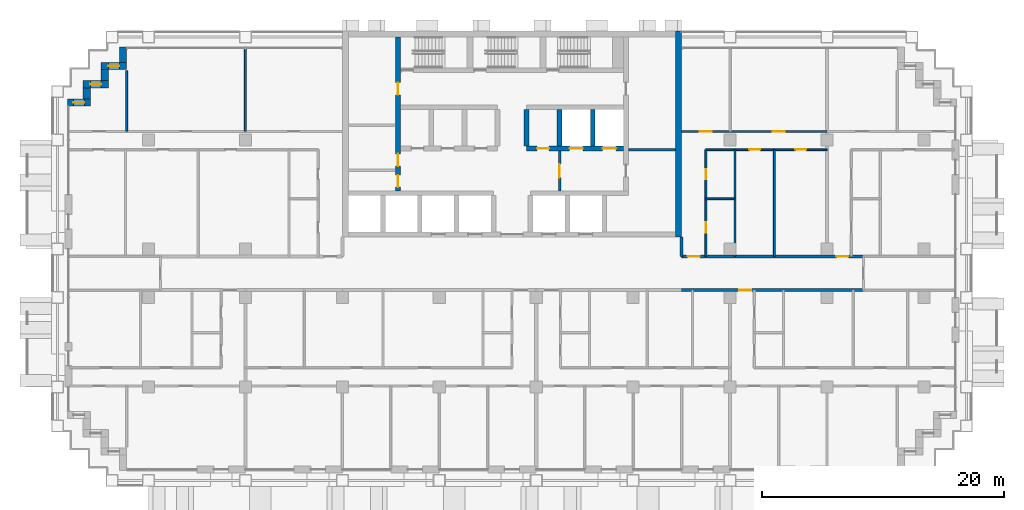
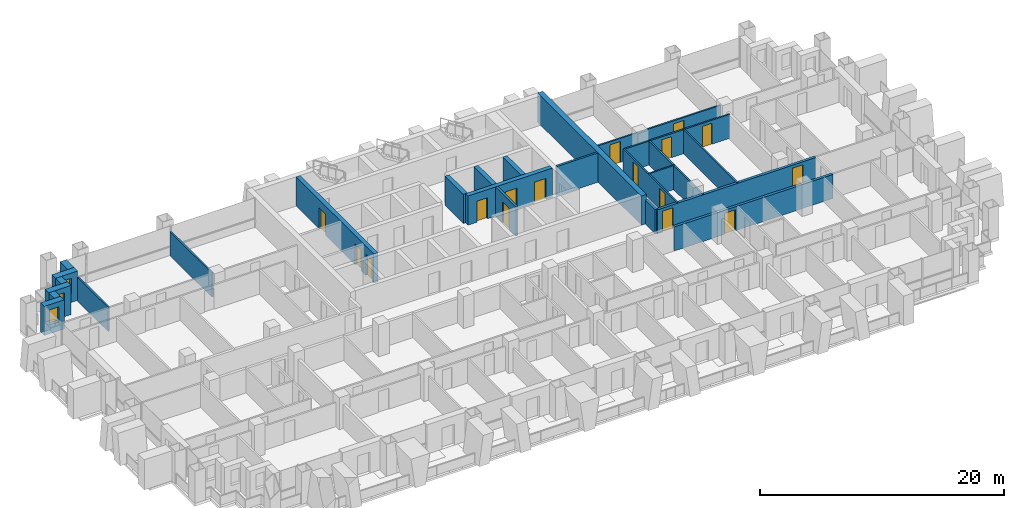
# One storey, part 12 of 18: 25 walls, 16 doors, 3 windows, 19 openings.
"""IFC4 building model written with IfcOpenShell, lengths in metres."""

from ifc_helpers import new_model, si_unit, direction, frame, frame_2d, origin, place, context, subcontext, project, spatial, rectangle, extrude, material, layer, layer_set, type_object, element, fill, save


model = new_model("IFC4")

# Units and contexts
model_context = context("Model", 3, precision=1e-05, world=origin(), true_north=direction((0.0, 1.0)))
body_context = subcontext(model_context, "Body", "Model", "MODEL_VIEW")
ifc_project = project(units=[si_unit("LENGTHUNIT", "METRE"), si_unit("AREAUNIT", "SQUARE_METRE"), si_unit("VOLUMEUNIT", "CUBIC_METRE"), si_unit("PLANEANGLEUNIT", "RADIAN"), si_unit("MASSUNIT", "GRAM", prefix="KILO")], contexts=[model_context])

# Site, building, storey
site_placement = place(None, origin())
site = spatial("IfcSite", under=ifc_project, at=site_placement, CompositionType="ELEMENT")
building_placement = place(site_placement, origin())
building = spatial("IfcBuilding", under=site, at=building_placement, Name="Vidyagriha Tower", CompositionType="ELEMENT")
storey_placement = place(building_placement, frame((0.0, 0.0, 41.60009765625)))
storey = spatial("IfcBuildingStorey", under=building, at=storey_placement, Name="L10", CompositionType="ELEMENT", Elevation=41.60009765625)

# Wall
ifc_material_1 = material(Name="Precast concrete C40/50 with brick facing", Category="concrete")
ifc_layer_1 = layer(ifc_material_1, 0.60009765625)
ifc_layer_set_1 = layer_set([ifc_layer_1], Name="Precast concrete C40/50 with brick facing")
wall_type_1 = type_object("IfcWallType", Name="Brick-faced precast wall 600", PredefinedType="STANDARD", material=ifc_layer_set_1)
wall_1_placement = place(storey_placement, frame((-32.10009765625, 18.679931640625, 0.0), z_axis=(0.0, 0.0, 1.0), x_axis=(0.0, -1.0, 0.0)))
element("IfcWall", 1, at=wall_1_placement, inside=storey, type_object=wall_type_1, Name="Stepped corner wall L10 R10", PredefinedType="STANDARD", context=body_context, shape_type="SweptSolid", body=[
    extrude(rectangle(XDim=1.280029296875, YDim=0.60009765625, at=frame_2d((0.64013671875, 0.0))), origin(), (0.0, 0.0, 1.0), 2.919921875),
])

# Wall, opening, window
wall_2_placement = place(storey_placement, frame((-31.800048828125, 17.10009765625, 0.0), z_axis=(0.0, 0.0, 1.0), x_axis=(-1.0, 0.0, 0.0)))
wall_2 = element("IfcWall", 2, at=wall_2_placement, inside=storey, type_object=wall_type_1, Name="Stepped corner wall L10 R11", PredefinedType="STANDARD", context=body_context, shape_type="SweptSolid", body=[
    extrude(rectangle(XDim=2.099853515625, YDim=0.60009765625, at=frame_2d((1.0498046875, 0.0))), origin(), (0.0, 0.0, 1.0), 2.919921875),
])
opening_1_placement = place(wall_2_placement, frame((0.60009765625, 0.0, 0.89990234375)))
opening_1 = element("IfcOpeningElement", 3, at=opening_1_placement, cuts=wall_2, Name="Opening WN1", PredefinedType="OPENING", context=body_context, shape_type="SweptSolid", body=[
    extrude(rectangle(XDim=0.89990234375, YDim=1.5, at=frame_2d((0.449951171875, 0.75))), frame((0.0, 0.31005859375, 0.0), z_axis=(0.0, -1.0, 0.0), x_axis=(1.0, 0.0, 0.0)), (0.0, 0.0, 1.0), 0.6201171875),
])
ifc_material_2 = material(Name="Aluminium and glass window", Category="aluminium")
window_type = type_object("IfcWindowType", Name="Reveal window 900x1500", PartitioningType="NOTDEFINED", PredefinedType="WINDOW", material=ifc_material_2)
window_1_placement = place(opening_1_placement, origin())
window_1 = element("IfcWindow", 4, at=window_1_placement, inside=storey, type_object=window_type, Name="Reveal window L10 R11", OverallHeight=1.5, OverallWidth=0.89990234375, PartitioningType="SINGLE_PANEL", PredefinedType="WINDOW", context=body_context, shape_type="SweptSolid", body=[
    extrude(rectangle(XDim=0.89990234375, YDim=1.5, at=frame_2d((0.449951171875, 0.75))), frame((0.0, 0.030029296875, 0.0), z_axis=(0.0, -1.0, 0.0), x_axis=(1.0, 0.0, 0.0)), (0.0, 0.0, 1.0), 0.06005859375),
])
fill(opening_1, window_1)

# Wall
wall_3_placement = place(storey_placement, frame((-33.60009765625, 16.800048828125, 0.0), z_axis=(0.0, 0.0, 1.0), x_axis=(0.0, -1.0, 0.0)))
element("IfcWall", 5, at=wall_3_placement, inside=storey, type_object=wall_type_1, Name="Stepped corner wall L10 R12", PredefinedType="STANDARD", context=body_context, shape_type="SweptSolid", body=[
    extrude(rectangle(XDim=0.900146484375, YDim=0.60009765625, at=frame_2d((0.4501953125, 0.0))), origin(), (0.0, 0.0, 1.0), 2.919921875),
])

# Wall, opening, window
wall_4_placement = place(storey_placement, frame((-33.300048828125, 15.60009765625, 0.0), z_axis=(0.0, 0.0, 1.0), x_axis=(-1.0, 0.0, 0.0)))
wall_4 = element("IfcWall", 6, at=wall_4_placement, inside=storey, type_object=wall_type_1, Name="Stepped corner wall L10 R13", PredefinedType="STANDARD", context=body_context, shape_type="SweptSolid", body=[
    extrude(rectangle(XDim=2.099853515625, YDim=0.60009765625, at=frame_2d((1.0498046875, 0.0))), origin(), (0.0, 0.0, 1.0), 2.919921875),
])
opening_2_placement = place(wall_4_placement, frame((0.60009765625, 0.0, 0.89990234375)))
opening_2 = element("IfcOpeningElement", 7, at=opening_2_placement, cuts=wall_4, Name="Opening WN1", PredefinedType="OPENING", context=body_context, shape_type="SweptSolid", body=[
    extrude(rectangle(XDim=0.89990234375, YDim=1.5, at=frame_2d((0.449951171875, 0.75))), frame((0.0, 0.31005859375, 0.0), z_axis=(0.0, -1.0, 0.0), x_axis=(1.0, 0.0, 0.0)), (0.0, 0.0, 1.0), 0.6201171875),
])
window_2_placement = place(opening_2_placement, origin())
window_2 = element("IfcWindow", 8, at=window_2_placement, inside=storey, type_object=window_type, Name="Reveal window L10 R13", OverallHeight=1.5, OverallWidth=0.89990234375, PartitioningType="SINGLE_PANEL", PredefinedType="WINDOW", context=body_context, shape_type="SweptSolid", body=[
    extrude(rectangle(XDim=0.89990234375, YDim=1.5, at=frame_2d((0.449951171875, 0.75))), frame((0.0, 0.030029296875, 0.0), z_axis=(0.0, -1.0, 0.0), x_axis=(1.0, 0.0, 0.0)), (0.0, 0.0, 1.0), 0.06005859375),
])
fill(opening_2, window_2)

# Wall
wall_5_placement = place(storey_placement, frame((-35.10009765625, 15.300048828125, 0.0), z_axis=(0.0, 0.0, 1.0), x_axis=(0.0, -1.0, 0.0)))
element("IfcWall", 9, at=wall_5_placement, inside=storey, type_object=wall_type_1, Name="Stepped corner wall L10 R14", PredefinedType="STANDARD", context=body_context, shape_type="SweptSolid", body=[
    extrude(rectangle(XDim=0.900146484375, YDim=0.60009765625, at=frame_2d((0.4501953125, 0.0))), origin(), (0.0, 0.0, 1.0), 2.919921875),
])

# Wall, opening, window
wall_6_placement = place(storey_placement, frame((-34.800048828125, 14.10009765625, 0.0), z_axis=(0.0, 0.0, 1.0), x_axis=(-1.0, 0.0, 0.0)))
wall_6 = element("IfcWall", 10, at=wall_6_placement, inside=storey, type_object=wall_type_1, Name="Stepped corner wall L10 R15", PredefinedType="STANDARD", context=body_context, shape_type="SweptSolid", body=[
    extrude(rectangle(XDim=1.8798828125, YDim=0.60009765625, at=frame_2d((0.93994140625, 0.0))), origin(), (0.0, 0.0, 1.0), 2.919921875),
])
opening_3_placement = place(wall_6_placement, frame((0.489990234375, 0.0, 0.89990234375)))
opening_3 = element("IfcOpeningElement", 11, at=opening_3_placement, cuts=wall_6, Name="Opening WN1", PredefinedType="OPENING", context=body_context, shape_type="SweptSolid", body=[
    extrude(rectangle(XDim=0.89990234375, YDim=1.5, at=frame_2d((0.449951171875, 0.75))), frame((0.0, 0.31005859375, 0.0), z_axis=(0.0, -1.0, 0.0), x_axis=(1.0, 0.0, 0.0)), (0.0, 0.0, 1.0), 0.6201171875),
])
window_3_placement = place(opening_3_placement, origin())
window_3 = element("IfcWindow", 12, at=window_3_placement, inside=storey, type_object=window_type, Name="Reveal window L10 R15", OverallHeight=1.5, OverallWidth=0.89990234375, PartitioningType="SINGLE_PANEL", PredefinedType="WINDOW", context=body_context, shape_type="SweptSolid", body=[
    extrude(rectangle(XDim=0.89990234375, YDim=1.5, at=frame_2d((0.449951171875, 0.75))), frame((0.0, 0.030029296875, 0.0), z_axis=(0.0, -1.0, 0.0), x_axis=(1.0, 0.0, 0.0)), (0.0, 0.0, 1.0), 0.06005859375),
])
fill(opening_3, window_3)

# Wall, openings, doors
ifc_material_3 = material(Name="Concrete C60/75", Category="concrete")
ifc_layer_2 = layer(ifc_material_3, 0.39990234375)
ifc_layer_set_2 = layer_set([ifc_layer_2], Name="Concrete C60/75")
wall_type_2 = type_object("IfcWallType", Name="Core shear wall 400 mm", PredefinedType="SHEAR", material=ifc_layer_set_2)
wall_7_placement = place(storey_placement, frame((-9.39990234375, 6.800048828125, 0.0), z_axis=(0.0, 0.0, 1.0), x_axis=(0.0, 1.0, 0.0)))
wall_7 = element("IfcWall", 13, at=wall_7_placement, inside=storey, type_object=wall_type_2, Name="Core west spine wall", PredefinedType="SHEAR", context=body_context, shape_type="SweptSolid", body=[
    extrude(rectangle(XDim=12.699951171875, YDim=0.39990234375, at=frame_2d((6.35009765625, 0.0))), origin(), (0.0, 0.0, 1.0), 2.919921875),
])
opening_4_placement = place(wall_7_placement, frame((0.300048828125, 0.0, 0.0)))
opening_4 = element("IfcOpeningElement", 14, at=opening_4_placement, cuts=wall_7, Name="Opening D10-10", PredefinedType="OPENING", context=body_context, shape_type="SweptSolid", body=[
    extrude(rectangle(XDim=1.0, YDim=2.10009765625, at=frame_2d((0.5, 1.050048828125))), frame((0.0, 0.2099609375, 0.0), z_axis=(0.0, -1.0, 0.0), x_axis=(1.0, 0.0, 0.0)), (0.0, 0.0, 1.0), 0.419921875),
])
opening_5_placement = place(wall_7_placement, frame((2.050048828125, 0.0, 0.0)))
opening_5 = element("IfcOpeningElement", 15, at=opening_5_placement, cuts=wall_7, Name="Opening D10-11", PredefinedType="OPENING", context=body_context, shape_type="SweptSolid", body=[
    extrude(rectangle(XDim=1.0, YDim=2.10009765625, at=frame_2d((0.5, 1.050048828125))), frame((0.0, 0.2099609375, 0.0), z_axis=(0.0, -1.0, 0.0), x_axis=(1.0, 0.0, 0.0)), (0.0, 0.0, 1.0), 0.419921875),
])
opening_6_placement = place(wall_7_placement, frame((7.925048828125, 0.0, 0.0)))
opening_6 = element("IfcOpeningElement", 16, at=opening_6_placement, cuts=wall_7, Name="Opening D10-12", PredefinedType="OPENING", context=body_context, shape_type="SweptSolid", body=[
    extrude(rectangle(XDim=1.0, YDim=2.10009765625, at=frame_2d((0.5, 1.050048828125))), frame((0.0, 0.2099609375, 0.0), z_axis=(0.0, -1.0, 0.0), x_axis=(1.0, 0.0, 0.0)), (0.0, 0.0, 1.0), 0.419921875),
])
ifc_material_4 = material(Name="Hollow metal door leaf")
door_type_1 = type_object("IfcDoorType", Name="Core room door 1000 x 2100 mm EI 60", OperationType="NOTDEFINED", PredefinedType="DOOR", material=ifc_material_4)
door_1_placement = place(opening_4_placement, frame((1.0, 0.0, 0.0), z_axis=(0.0, 0.0, 1.0), x_axis=(-1.0, 0.0, 0.0)))
door_1 = element("IfcDoor", 17, at=door_1_placement, inside=storey, type_object=door_type_1, Name="Door Refuse Room 10.W1", OperationType="SINGLE_SWING_RIGHT", OverallHeight=2.10009765625, OverallWidth=1.0, PredefinedType="DOOR", context=body_context, shape_type="SweptSolid", body=[
    extrude(rectangle(XDim=1.0, YDim=2.10009765625, at=frame_2d((0.5, 1.050048828125))), frame((0.0, 0.02490234375, 0.0), z_axis=(0.0, -1.0, 0.0), x_axis=(1.0, 0.0, 0.0)), (0.0, 0.0, 1.0), 0.050048828125),
])
fill(opening_4, door_1)
door_2_placement = place(opening_5_placement, frame((1.0, 0.0, 0.0), z_axis=(0.0, 0.0, 1.0), x_axis=(-1.0, 0.0, 0.0)))
door_2 = element("IfcDoor", 18, at=door_2_placement, inside=storey, type_object=door_type_1, Name="Door Mechanical Riser Room 10.W2", OperationType="SINGLE_SWING_LEFT", OverallHeight=2.10009765625, OverallWidth=1.0, PredefinedType="DOOR", context=body_context, shape_type="SweptSolid", body=[
    extrude(rectangle(XDim=1.0, YDim=2.10009765625, at=frame_2d((0.5, 1.050048828125))), frame((0.0, 0.02490234375, 0.0), z_axis=(0.0, -1.0, 0.0), x_axis=(1.0, 0.0, 0.0)), (0.0, 0.0, 1.0), 0.050048828125),
])
fill(opening_5, door_2)
door_3_placement = place(opening_6_placement, frame((1.0, 0.0, 0.0), z_axis=(0.0, 0.0, 1.0), x_axis=(-1.0, 0.0, 0.0)))
door_3 = element("IfcDoor", 19, at=door_3_placement, inside=storey, type_object=door_type_1, Name="Door Electrical Room 10.W3", OperationType="SINGLE_SWING_LEFT", OverallHeight=2.10009765625, OverallWidth=1.0, PredefinedType="DOOR", context=body_context, shape_type="SweptSolid", body=[
    extrude(rectangle(XDim=1.0, YDim=2.10009765625, at=frame_2d((0.5, 1.050048828125))), frame((0.0, 0.02490234375, 0.0), z_axis=(0.0, -1.0, 0.0), x_axis=(1.0, 0.0, 0.0)), (0.0, 0.0, 1.0), 0.050048828125),
])
fill(opening_6, door_3)

wall_8_placement = place(storey_placement, frame((1.199951171875, 10.300048828125, 0.0)))
wall_8 = element("IfcWall", 20, at=wall_8_placement, inside=storey, type_object=wall_type_2, Name="Core row N front wall", PredefinedType="SHEAR", context=body_context, shape_type="SweptSolid", body=[
    extrude(rectangle(XDim=8.0, YDim=0.39990234375, at=frame_2d((4.0, 0.0))), origin(), (0.0, 0.0, 1.0), 2.919921875),
])
opening_7_placement = place(wall_8_placement, frame((3.550048828125, 0.0, 0.0)))
opening_7 = element("IfcOpeningElement", 21, at=opening_7_placement, cuts=wall_8, Name="Opening LD10-05", PredefinedType="OPENING", context=body_context, shape_type="SweptSolid", body=[
    extrude(rectangle(XDim=1.10009765625, YDim=2.10009765625, at=frame_2d((0.550048828125, 1.050048828125))), frame((0.0, 0.2099609375, 0.0), z_axis=(0.0, -1.0, 0.0), x_axis=(1.0, 0.0, 0.0)), (0.0, 0.0, 1.0), 0.419921875),
])
opening_8_placement = place(wall_8_placement, frame((6.283203125, 0.0, 0.0)))
opening_8 = element("IfcOpeningElement", 22, at=opening_8_placement, cuts=wall_8, Name="Opening LD10-06", PredefinedType="OPENING", context=body_context, shape_type="SweptSolid", body=[
    extrude(rectangle(XDim=1.10009765625, YDim=2.10009765625, at=frame_2d((0.550048828125, 1.050048828125))), frame((0.0, 0.2099609375, 0.0), z_axis=(0.0, -1.0, 0.0), x_axis=(1.0, 0.0, 0.0)), (0.0, 0.0, 1.0), 0.419921875),
])
opening_9_placement = place(wall_8_placement, frame((0.86669921875, 0.0, 0.0)))
opening_9 = element("IfcOpeningElement", 23, at=opening_9_placement, cuts=wall_8, Name="Opening D10-05", PredefinedType="OPENING", context=body_context, shape_type="SweptSolid", body=[
    extrude(rectangle(XDim=1.0, YDim=2.10009765625, at=frame_2d((0.5, 1.050048828125))), frame((0.0, 0.2099609375, 0.0), z_axis=(0.0, -1.0, 0.0), x_axis=(1.0, 0.0, 0.0)), (0.0, 0.0, 1.0), 0.419921875),
])
door_4_placement = place(opening_9_placement, frame((1.0, 0.0, 0.0), z_axis=(0.0, 0.0, 1.0), x_axis=(-1.0, 0.0, 0.0)))
door_4 = element("IfcDoor", 24, at=door_4_placement, inside=storey, type_object=door_type_1, Name="Door Mechanical Riser Room 10.17", OperationType="SINGLE_SWING_LEFT", OverallHeight=2.10009765625, OverallWidth=1.0, PredefinedType="DOOR", context=body_context, shape_type="SweptSolid", body=[
    extrude(rectangle(XDim=1.0, YDim=2.10009765625, at=frame_2d((0.5, 1.050048828125))), frame((0.0, 0.02490234375, 0.0), z_axis=(0.0, -1.0, 0.0), x_axis=(1.0, 0.0, 0.0)), (0.0, 0.0, 1.0), 0.050048828125),
])
fill(opening_9, door_4)
ifc_material_5 = material(Name="Stainless steel sliding door panel", Category="steel")
door_type_2 = type_object("IfcDoorType", Name="Lift landing door 1100 x 2100 mm EI 90", OperationType="NOTDEFINED", PredefinedType="DOOR", material=ifc_material_5)
door_5_placement = place(opening_7_placement, origin())
door_5 = element("IfcDoor", 25, at=door_5_placement, inside=storey, type_object=door_type_2, Name="Landing door FF1 L10", OperationType="SLIDING_TO_LEFT", OverallHeight=2.10009765625, OverallWidth=1.10009765625, PredefinedType="DOOR", context=body_context, shape_type="SweptSolid", body=[
    extrude(rectangle(XDim=1.10009765625, YDim=2.10009765625, at=frame_2d((0.550048828125, 1.050048828125))), frame((0.0, 0.02490234375, 0.0), z_axis=(0.0, -1.0, 0.0), x_axis=(1.0, 0.0, 0.0)), (0.0, 0.0, 1.0), 0.050048828125),
])
fill(opening_7, door_5)
door_6_placement = place(opening_8_placement, origin())
door_6 = element("IfcDoor", 26, at=door_6_placement, inside=storey, type_object=door_type_2, Name="Landing door FF2 L10", OperationType="SLIDING_TO_LEFT", OverallHeight=2.10009765625, OverallWidth=1.10009765625, PredefinedType="DOOR", context=body_context, shape_type="SweptSolid", body=[
    extrude(rectangle(XDim=1.10009765625, YDim=2.10009765625, at=frame_2d((0.550048828125, 1.050048828125))), frame((0.0, 0.02490234375, 0.0), z_axis=(0.0, -1.0, 0.0), x_axis=(1.0, 0.0, 0.0)), (0.0, 0.0, 1.0), 0.050048828125),
])
fill(opening_8, door_6)

# Walls
for number, where, z_axis, x_axis, name in (
    (27, (1.199951171875, 10.5, 0.0), (0.0, 0.0, 1.0), (0.0, 1.0, 0.0), "Core bay wall N4"),
    (28, (3.933349609375, 10.5, 0.0), (0.0, 0.0, 1.0), (0.0, 1.0, 0.0), "Core bay wall N5"),
    (29, (6.666748046875, 10.5, 0.0), (0.0, 0.0, 1.0), (0.0, 1.0, 0.0), "Core bay wall N6"),
):
    element("IfcWall", number, at=place(storey_placement, frame(where, z_axis=z_axis, x_axis=x_axis)), inside=storey, type_object=wall_type_2, Name=name, PredefinedType="SHEAR", context=body_context, shape_type="SweptSolid", body=[
        extrude(rectangle(XDim=3.0, YDim=0.39990234375, at=frame_2d((1.5, 0.0))), origin(), (0.0, 0.0, 1.0), 2.919921875),
    ])
ifc_material_6 = material(Name="Concrete C60/75", Category="concrete")
ifc_layer_3 = layer(ifc_material_6, 0.5)
ifc_layer_set_3 = layer_set([ifc_layer_3], Name="Concrete C60/75")
wall_type_3 = type_object("IfcWallType", Name="Core shear wall 500 mm", PredefinedType="SHEAR", material=ifc_layer_set_3)
wall_9_placement = place(storey_placement, frame((13.75, 3.0, 0.0), z_axis=(0.0, 0.0, 1.0), x_axis=(0.0, 1.0, 0.0)))
element("IfcWall", 30, at=wall_9_placement, inside=storey, type_object=wall_type_3, Name="Core east wall", PredefinedType="SHEAR", context=body_context, shape_type="SweptSolid", body=[
    extrude(rectangle(XDim=17.0, YDim=0.5, at=frame_2d((8.5, 0.0))), origin(), (0.0, 0.0, 1.0), 2.919921875),
])

# Wall, opening, door
ifc_material_7 = material(Name="Fired clay brick masonry", Category="masonry")
ifc_layer_4 = layer(ifc_material_7, 0.25)
ifc_layer_set_4 = layer_set([ifc_layer_4], Name="Fired clay brick masonry")
wall_type_4 = type_object("IfcWallType", Name="Fired clay brick corridor wall 250", PredefinedType="PARTITIONING", material=ifc_layer_set_4)
wall_10_placement = place(storey_placement, frame((29.0, -1.39990234375, 0.0), z_axis=(0.0, 0.0, 1.0), x_axis=(-1.0, 0.0, 0.0)))
wall_10 = element("IfcWall", 31, at=wall_10_placement, inside=storey, type_object=wall_type_4, Name="Wall all-L10-w082", PredefinedType="PARTITIONING", context=body_context, shape_type="SweptSolid", body=[
    extrude(rectangle(XDim=15.0, YDim=0.25, at=frame_2d((7.5, 0.0))), origin(), (0.0, 0.0, 1.0), 2.39990234375),
])
opening_10_placement = place(wall_10_placement, frame((9.239990234375, 0.0, 0.0)))
opening_10 = element("IfcOpeningElement", 32, at=opening_10_placement, cuts=wall_10, Name="Opening D10-52", PredefinedType="OPENING", context=body_context, shape_type="SweptSolid", body=[
    extrude(rectangle(XDim=1.0, YDim=2.10009765625, at=frame_2d((0.5, 1.050048828125))), frame((0.0, 0.135009765625, 0.0), z_axis=(0.0, -1.0, 0.0), x_axis=(1.0, 0.0, 0.0)), (0.0, 0.0, 1.0), 0.27001953125),
])
ifc_material_8 = material(Name="Fire-rated timber door leaf EI 60", Category="wood")
door_type_3 = type_object("IfcDoorType", Name="Flat entrance fire door 1000x2100", OperationType="NOTDEFINED", PredefinedType="DOOR", material=ifc_material_8)
door_7_placement = place(opening_10_placement, origin())
door_7 = element("IfcDoor", 33, at=door_7_placement, inside=storey, type_object=door_type_3, Name="Door D10-52", OperationType="SINGLE_SWING_RIGHT", OverallHeight=2.10009765625, OverallWidth=1.0, PredefinedType="DOOR", context=body_context, shape_type="SweptSolid", body=[
    extrude(rectangle(XDim=1.0, YDim=2.10009765625, at=frame_2d((0.5, 1.050048828125))), frame((0.0, 0.02490234375, 0.0), z_axis=(0.0, -1.0, 0.0), x_axis=(1.0, 0.0, 0.0)), (0.0, 0.0, 1.0), 0.050048828125),
])
fill(opening_10, door_7)

# Wall, openings, doors
wall_11_placement = place(storey_placement, frame((14.0, 1.39990234375, 0.0)))
wall_11 = element("IfcWall", 34, at=wall_11_placement, inside=storey, type_object=wall_type_4, Name="Wall all-L10-w131", PredefinedType="PARTITIONING", context=body_context, shape_type="SweptSolid", body=[
    extrude(rectangle(XDim=15.0, YDim=0.25, at=frame_2d((7.5, 0.0))), origin(), (0.0, 0.0, 1.0), 2.39990234375),
])
opening_11_placement = place(wall_11_placement, frame((0.5, 0.0, 0.0)))
opening_11 = element("IfcOpeningElement", 35, at=opening_11_placement, cuts=wall_11, Name="Opening D10-68", PredefinedType="OPENING", context=body_context, shape_type="SweptSolid", body=[
    extrude(rectangle(XDim=1.0, YDim=2.10009765625, at=frame_2d((0.5, 1.050048828125))), frame((0.0, 0.135009765625, 0.0), z_axis=(0.0, -1.0, 0.0), x_axis=(1.0, 0.0, 0.0)), (0.0, 0.0, 1.0), 0.27001953125),
])
opening_12_placement = place(wall_11_placement, frame((12.760009765625, 0.0, 0.0)))
opening_12 = element("IfcOpeningElement", 36, at=opening_12_placement, cuts=wall_11, Name="Opening D10-74", PredefinedType="OPENING", context=body_context, shape_type="SweptSolid", body=[
    extrude(rectangle(XDim=1.0, YDim=2.10009765625, at=frame_2d((0.5, 1.050048828125))), frame((0.0, 0.135009765625, 0.0), z_axis=(0.0, -1.0, 0.0), x_axis=(1.0, 0.0, 0.0)), (0.0, 0.0, 1.0), 0.27001953125),
])
door_8_placement = place(opening_11_placement, origin())
door_8 = element("IfcDoor", 37, at=door_8_placement, inside=storey, type_object=door_type_3, Name="Door D10-68", OperationType="SINGLE_SWING_LEFT", OverallHeight=2.10009765625, OverallWidth=1.0, PredefinedType="DOOR", context=body_context, shape_type="SweptSolid", body=[
    extrude(rectangle(XDim=1.0, YDim=2.10009765625, at=frame_2d((0.5, 1.050048828125))), frame((0.0, 0.02490234375, 0.0), z_axis=(0.0, -1.0, 0.0), x_axis=(1.0, 0.0, 0.0)), (0.0, 0.0, 1.0), 0.050048828125),
])
fill(opening_11, door_8)
door_9_placement = place(opening_12_placement, origin())
door_9 = element("IfcDoor", 38, at=door_9_placement, inside=storey, type_object=door_type_3, Name="Door D10-74", OperationType="SINGLE_SWING_LEFT", OverallHeight=2.10009765625, OverallWidth=1.0, PredefinedType="DOOR", context=body_context, shape_type="SweptSolid", body=[
    extrude(rectangle(XDim=1.0, YDim=2.10009765625, at=frame_2d((0.5, 1.050048828125))), frame((0.0, 0.02490234375, 0.0), z_axis=(0.0, -1.0, 0.0), x_axis=(1.0, 0.0, 0.0)), (0.0, 0.0, 1.0), 0.050048828125),
])
fill(opening_12, door_9)

# Walls
wall_12_placement = place(storey_placement, frame((14.0, 1.39990234375, 0.0), z_axis=(0.0, 0.0, 1.0), x_axis=(0.0, 1.0, 0.0)))
element("IfcWall", 39, at=wall_12_placement, inside=storey, type_object=wall_type_4, Name="Wall all-L10-w139", PredefinedType="PARTITIONING", context=body_context, shape_type="SweptSolid", body=[
    extrude(rectangle(XDim=1.60009765625, YDim=0.25, at=frame_2d((0.800048828125, 0.0))), origin(), (0.0, 0.0, 1.0), 2.39990234375),
])
ifc_material_9 = material(Name="Gypsum board partition")
ifc_layer_5 = layer(ifc_material_9, 0.14990234375)
ifc_layer_set_5 = layer_set([ifc_layer_5], Name="Gypsum board partition")
wall_type_5 = type_object("IfcWallType", Name="Gypsum board partition 150", PredefinedType="PARTITIONING", material=ifc_layer_set_5)
wall_13_placement = place(storey_placement, frame((-31.800048828125, 16.719970703125, 0.0), z_axis=(0.0, 0.0, 1.0), x_axis=(0.0, -1.0, 0.0)))
element("IfcWall", 40, at=wall_13_placement, inside=storey, type_object=wall_type_5, Name="Wall all-L10-w099", PredefinedType="PARTITIONING", context=body_context, shape_type="SweptSolid", body=[
    extrude(rectangle(XDim=5.02001953125, YDim=0.14990234375, at=frame_2d((2.510009765625, 0.0))), origin(), (0.0, 0.0, 1.0), 2.39990234375),
])
wall_14_placement = place(storey_placement, frame((-22.0, 18.52099609375, 0.0), z_axis=(0.0, 0.0, 1.0), x_axis=(0.0, -1.0, 0.0)))
element("IfcWall", 41, at=wall_14_placement, inside=storey, type_object=wall_type_5, Name="Wall all-L10-w100", PredefinedType="PARTITIONING", context=body_context, shape_type="SweptSolid", body=[
    extrude(rectangle(XDim=6.821044921875, YDim=0.14990234375, at=frame_2d((3.41064453125, 0.0))), origin(), (0.0, 0.0, 1.0), 2.39990234375),
])
wall_15_placement = place(storey_placement, frame((16.0, 6.14990234375, 0.0)))
element("IfcWall", 42, at=wall_15_placement, inside=storey, type_object=wall_type_5, Name="Wall all-L10-w107", PredefinedType="PARTITIONING", context=body_context, shape_type="SweptSolid", body=[
    extrude(rectangle(XDim=2.39990234375, YDim=0.14990234375, at=frame_2d((1.199951171875, 0.0))), origin(), (0.0, 0.0, 1.0), 2.39990234375),
])
for number, where, z_axis, x_axis, name in (
    (43, (18.39990234375, 10.199951171875, 0.0), (0.0, 0.0, 1.0), (0.0, -1.0, 0.0), "Wall all-L10-w108"),
    (44, (21.64990234375, 10.199951171875, 0.0), (0.0, 0.0, 1.0), (0.0, -1.0, 0.0), "Wall all-L10-w109"),
):
    element("IfcWall", number, at=place(storey_placement, frame(where, z_axis=z_axis, x_axis=x_axis)), inside=storey, type_object=wall_type_5, Name=name, PredefinedType="PARTITIONING", context=body_context, shape_type="SweptSolid", body=[
        extrude(rectangle(XDim=8.800048828125, YDim=0.14990234375, at=frame_2d((4.39990234375, 0.0))), origin(), (0.0, 0.0, 1.0), 2.39990234375),
    ])

# Wall, openings, doors
wall_16_placement = place(storey_placement, frame((26.0, 10.199951171875, 0.0), z_axis=(0.0, 0.0, 1.0), x_axis=(-1.0, 0.0, 0.0)))
wall_16 = element("IfcWall", 45, at=wall_16_placement, inside=storey, type_object=wall_type_5, Name="Wall all-L10-w110", PredefinedType="PARTITIONING", context=body_context, shape_type="SweptSolid", body=[
    extrude(rectangle(XDim=10.0, YDim=0.14990234375, at=frame_2d((5.0, 0.0))), origin(), (0.0, 0.0, 1.0), 2.39990234375),
])
opening_13_placement = place(wall_16_placement, frame((5.52490234375, 0.0, 0.0)))
opening_13 = element("IfcOpeningElement", 46, at=opening_13_placement, cuts=wall_16, Name="Opening D10-64", PredefinedType="OPENING", context=body_context, shape_type="SweptSolid", body=[
    extrude(rectangle(XDim=0.89990234375, YDim=2.10009765625, at=frame_2d((0.449951171875, 1.050048828125))), frame((0.0, 0.0849609375, 0.0), z_axis=(0.0, -1.0, 0.0), x_axis=(1.0, 0.0, 0.0)), (0.0, 0.0, 1.0), 0.169921875),
])
opening_14_placement = place(wall_16_placement, frame((1.72509765625, 0.0, 0.0)))
opening_14 = element("IfcOpeningElement", 47, at=opening_14_placement, cuts=wall_16, Name="Opening D10-65", PredefinedType="OPENING", context=body_context, shape_type="SweptSolid", body=[
    extrude(rectangle(XDim=0.89990234375, YDim=2.10009765625, at=frame_2d((0.449951171875, 1.050048828125))), frame((0.0, 0.0849609375, 0.0), z_axis=(0.0, -1.0, 0.0), x_axis=(1.0, 0.0, 0.0)), (0.0, 0.0, 1.0), 0.169921875),
])
ifc_material_10 = material(Name="Timber door leaf", Category="wood")
door_type_4 = type_object("IfcDoorType", Name="Room door 900x2100", OperationType="NOTDEFINED", PredefinedType="DOOR", material=ifc_material_10)
door_10_placement = place(opening_13_placement, origin())
door_10 = element("IfcDoor", 48, at=door_10_placement, inside=storey, type_object=door_type_4, Name="Door D10-64", OperationType="SINGLE_SWING_RIGHT", OverallHeight=2.10009765625, OverallWidth=0.89990234375, PredefinedType="DOOR", context=body_context, shape_type="SweptSolid", body=[
    extrude(rectangle(XDim=0.89990234375, YDim=2.10009765625, at=frame_2d((0.449951171875, 1.050048828125))), frame((0.0, 0.02490234375, 0.0), z_axis=(0.0, -1.0, 0.0), x_axis=(1.0, 0.0, 0.0)), (0.0, 0.0, 1.0), 0.050048828125),
])
fill(opening_13, door_10)
door_11_placement = place(opening_14_placement, origin())
door_11 = element("IfcDoor", 49, at=door_11_placement, inside=storey, type_object=door_type_4, Name="Door D10-65", OperationType="SINGLE_SWING_RIGHT", OverallHeight=2.10009765625, OverallWidth=0.89990234375, PredefinedType="DOOR", context=body_context, shape_type="SweptSolid", body=[
    extrude(rectangle(XDim=0.89990234375, YDim=2.10009765625, at=frame_2d((0.449951171875, 1.050048828125))), frame((0.0, 0.02490234375, 0.0), z_axis=(0.0, -1.0, 0.0), x_axis=(1.0, 0.0, 0.0)), (0.0, 0.0, 1.0), 0.050048828125),
])
fill(opening_14, door_11)

wall_17_placement = place(storey_placement, frame((14.0, 11.699951171875, 0.0)))
wall_17 = element("IfcWall", 50, at=wall_17_placement, inside=storey, type_object=wall_type_5, Name="Wall all-L10-w113", PredefinedType="PARTITIONING", context=body_context, shape_type="SweptSolid", body=[
    extrude(rectangle(XDim=12.0, YDim=0.14990234375, at=frame_2d((6.0, 0.0))), origin(), (0.0, 0.0, 1.0), 2.39990234375),
])
opening_15_placement = place(wall_17_placement, frame((1.5, 0.0, 0.0)))
opening_15 = element("IfcOpeningElement", 51, at=opening_15_placement, cuts=wall_17, Name="Opening D10-66", PredefinedType="OPENING", context=body_context, shape_type="SweptSolid", body=[
    extrude(rectangle(XDim=1.0, YDim=2.10009765625, at=frame_2d((0.5, 1.050048828125))), frame((0.0, 0.0849609375, 0.0), z_axis=(0.0, -1.0, 0.0), x_axis=(1.0, 0.0, 0.0)), (0.0, 0.0, 1.0), 0.169921875),
])
opening_16_placement = place(wall_17_placement, frame((7.5, 0.0, 0.0)))
opening_16 = element("IfcOpeningElement", 52, at=opening_16_placement, cuts=wall_17, Name="Opening D10-67", PredefinedType="OPENING", context=body_context, shape_type="SweptSolid", body=[
    extrude(rectangle(XDim=1.0, YDim=2.10009765625, at=frame_2d((0.5, 1.050048828125))), frame((0.0, 0.0849609375, 0.0), z_axis=(0.0, -1.0, 0.0), x_axis=(1.0, 0.0, 0.0)), (0.0, 0.0, 1.0), 0.169921875),
])
ifc_material_11 = material(Name="Timber door leaf", Category="wood")
door_type_5 = type_object("IfcDoorType", Name="Room door 1000x2100", OperationType="NOTDEFINED", PredefinedType="DOOR", material=ifc_material_11)
door_12_placement = place(opening_15_placement, origin())
door_12 = element("IfcDoor", 53, at=door_12_placement, inside=storey, type_object=door_type_5, Name="Door D10-66", OperationType="SINGLE_SWING_RIGHT", OverallHeight=2.10009765625, OverallWidth=1.0, PredefinedType="DOOR", context=body_context, shape_type="SweptSolid", body=[
    extrude(rectangle(XDim=1.0, YDim=2.10009765625, at=frame_2d((0.5, 1.050048828125))), frame((0.0, 0.02490234375, 0.0), z_axis=(0.0, -1.0, 0.0), x_axis=(1.0, 0.0, 0.0)), (0.0, 0.0, 1.0), 0.050048828125),
])
fill(opening_15, door_12)
door_13_placement = place(opening_16_placement, origin())
door_13 = element("IfcDoor", 54, at=door_13_placement, inside=storey, type_object=door_type_5, Name="Door D10-67", OperationType="SINGLE_SWING_RIGHT", OverallHeight=2.10009765625, OverallWidth=1.0, PredefinedType="DOOR", context=body_context, shape_type="SweptSolid", body=[
    extrude(rectangle(XDim=1.0, YDim=2.10009765625, at=frame_2d((0.5, 1.050048828125))), frame((0.0, 0.02490234375, 0.0), z_axis=(0.0, -1.0, 0.0), x_axis=(1.0, 0.0, 0.0)), (0.0, 0.0, 1.0), 0.050048828125),
])
fill(opening_16, door_13)

ifc_material_12 = material(Name="Moisture resistant gypsum board partition")
ifc_layer_6 = layer(ifc_material_12, 0.14990234375)
ifc_layer_set_6 = layer_set([ifc_layer_6], Name="Moisture resistant gypsum board partition")
wall_type_6 = type_object("IfcWallType", Name="Gypsum board wet-area partition 150", PredefinedType="PARTITIONING", material=ifc_layer_set_6)
wall_18_placement = place(storey_placement, frame((16.0, 10.199951171875, 0.0), z_axis=(0.0, 0.0, 1.0), x_axis=(0.0, -1.0, 0.0)))
wall_18 = element("IfcWall", 55, at=wall_18_placement, inside=storey, type_object=wall_type_6, Name="Wall all-L10-w104", PredefinedType="PARTITIONING", context=body_context, shape_type="SweptSolid", body=[
    extrude(rectangle(XDim=8.800048828125, YDim=0.14990234375, at=frame_2d((4.39990234375, 0.0))), origin(), (0.0, 0.0, 1.0), 2.39990234375),
])
opening_17_placement = place(wall_18_placement, frame((5.97509765625, 0.0, 0.0)))
opening_17 = element("IfcOpeningElement", 56, at=opening_17_placement, cuts=wall_18, Name="Opening D10-62", PredefinedType="OPENING", context=body_context, shape_type="SweptSolid", body=[
    extrude(rectangle(XDim=0.89990234375, YDim=2.10009765625, at=frame_2d((0.449951171875, 1.050048828125))), frame((0.0, 0.0849609375, 0.0), z_axis=(0.0, -1.0, 0.0), x_axis=(1.0, 0.0, 0.0)), (0.0, 0.0, 1.0), 0.169921875),
])
opening_18_placement = place(wall_18_placement, frame((1.625, 0.0, 0.0)))
opening_18 = element("IfcOpeningElement", 57, at=opening_18_placement, cuts=wall_18, Name="Opening D10-63", PredefinedType="OPENING", context=body_context, shape_type="SweptSolid", body=[
    extrude(rectangle(XDim=0.800048828125, YDim=2.10009765625, at=frame_2d((0.39990234375, 1.050048828125))), frame((0.0, 0.0849609375, 0.0), z_axis=(0.0, -1.0, 0.0), x_axis=(1.0, 0.0, 0.0)), (0.0, 0.0, 1.0), 0.169921875),
])
ifc_material_13 = material(Name="Timber door leaf", Category="wood")
door_type_6 = type_object("IfcDoorType", Name="Bathroom door 800x2100", OperationType="NOTDEFINED", PredefinedType="DOOR", material=ifc_material_13)
door_14_placement = place(opening_18_placement, origin())
door_14 = element("IfcDoor", 58, at=door_14_placement, inside=storey, type_object=door_type_6, Name="Door D10-63", OperationType="SINGLE_SWING_LEFT", OverallHeight=2.10009765625, OverallWidth=0.800048828125, PredefinedType="DOOR", context=body_context, shape_type="SweptSolid", body=[
    extrude(rectangle(XDim=0.800048828125, YDim=2.10009765625, at=frame_2d((0.39990234375, 1.050048828125))), frame((0.0, 0.02490234375, 0.0), z_axis=(0.0, -1.0, 0.0), x_axis=(1.0, 0.0, 0.0)), (0.0, 0.0, 1.0), 0.050048828125),
])
fill(opening_18, door_14)
ifc_material_14 = material(Name="Timber door leaf", Category="wood")
door_type_7 = type_object("IfcDoorType", Name="Kitchen door 900x2100", OperationType="NOTDEFINED", PredefinedType="DOOR", material=ifc_material_14)
door_15_placement = place(opening_17_placement, origin())
door_15 = element("IfcDoor", 59, at=door_15_placement, inside=storey, type_object=door_type_7, Name="Door D10-62", OperationType="SINGLE_SWING_LEFT", OverallHeight=2.10009765625, OverallWidth=0.89990234375, PredefinedType="DOOR", context=body_context, shape_type="SweptSolid", body=[
    extrude(rectangle(XDim=0.89990234375, YDim=2.10009765625, at=frame_2d((0.449951171875, 1.050048828125))), frame((0.0, 0.02490234375, 0.0), z_axis=(0.0, -1.0, 0.0), x_axis=(1.0, 0.0, 0.0)), (0.0, 0.0, 1.0), 0.050048828125),
])
fill(opening_17, door_15)

# Wall, opening, door
ifc_material_15 = material(Name="Blockwork 15 MPa", Category="masonry")
ifc_layer_7 = layer(ifc_material_15, 0.199951171875)
ifc_layer_set_7 = layer_set([ifc_layer_7], Name="Blockwork 15 MPa")
wall_type_7 = type_object("IfcWallType", Name="Service room partition 200 mm", PredefinedType="PARTITIONING", material=ifc_layer_set_7)
wall_19_placement = place(storey_placement, frame((3.933349609375, 6.800048828125, 0.0), z_axis=(0.0, 0.0, 1.0), x_axis=(0.0, 1.0, 0.0)))
wall_19 = element("IfcWall", 60, at=wall_19_placement, inside=storey, type_object=wall_type_7, Name="Fire-fighting lobby west wall", PredefinedType="PARTITIONING", context=body_context, shape_type="SweptSolid", body=[
    extrude(rectangle(XDim=3.300048828125, YDim=0.199951171875, at=frame_2d((1.64990234375, 0.0))), origin(), (0.0, 0.0, 1.0), 2.919921875),
])
opening_19_placement = place(wall_19_placement, frame((1.10009765625, 0.0, 0.0)))
opening_19 = element("IfcOpeningElement", 61, at=opening_19_placement, cuts=wall_19, Name="Opening D10-06", PredefinedType="OPENING", context=body_context, shape_type="SweptSolid", body=[
    extrude(rectangle(XDim=1.10009765625, YDim=2.10009765625, at=frame_2d((0.550048828125, 1.050048828125))), frame((0.0, 0.10986328125, 0.0), z_axis=(0.0, -1.0, 0.0), x_axis=(1.0, 0.0, 0.0)), (0.0, 0.0, 1.0), 0.219970703125),
])
ifc_material_16 = material(Name="Hollow metal door leaf")
door_type_8 = type_object("IfcDoorType", Name="Fire-fighting lobby door 1100 x 2100 mm EI 90", OperationType="NOTDEFINED", PredefinedType="DOOR", material=ifc_material_16)
door_16_placement = place(opening_19_placement, origin())
door_16 = element("IfcDoor", 62, at=door_16_placement, inside=storey, type_object=door_type_8, Name="Fire-fighting lobby door L10", OperationType="SINGLE_SWING_RIGHT", OverallHeight=2.10009765625, OverallWidth=1.10009765625, PredefinedType="DOOR", context=body_context, shape_type="SweptSolid", body=[
    extrude(rectangle(XDim=1.10009765625, YDim=2.10009765625, at=frame_2d((0.550048828125, 1.050048828125))), frame((0.0, 0.02490234375, 0.0), z_axis=(0.0, -1.0, 0.0), x_axis=(1.0, 0.0, 0.0)), (0.0, 0.0, 1.0), 0.050048828125),
])
fill(opening_19, door_16)

# Wall
wall_20_placement = place(storey_placement, frame((9.60009765625, 10.199951171875, 0.0)))
element("IfcWall", 63, at=wall_20_placement, inside=storey, type_object=wall_type_7, Name="Core room partition E1", PredefinedType="PARTITIONING", context=body_context, shape_type="SweptSolid", body=[
    extrude(rectangle(XDim=3.89990234375, YDim=0.199951171875, at=frame_2d((1.949951171875, 0.0))), origin(), (0.0, 0.0, 1.0), 2.919921875),
])

save(model, "model.ifc")
